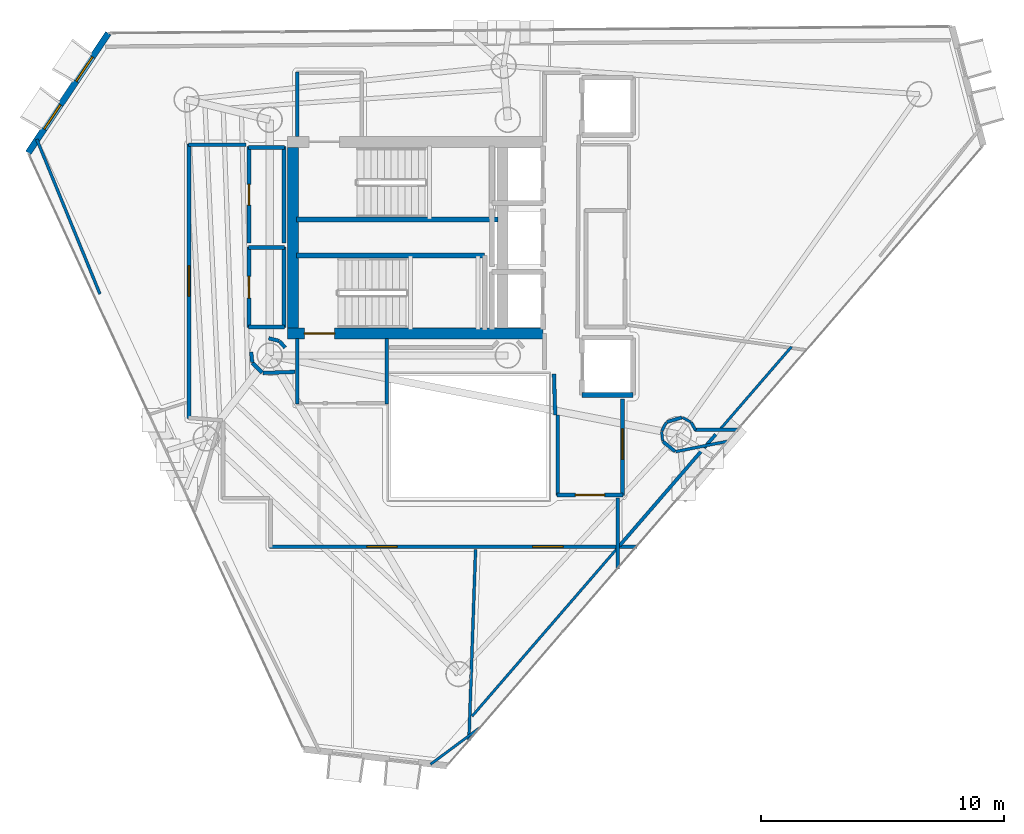
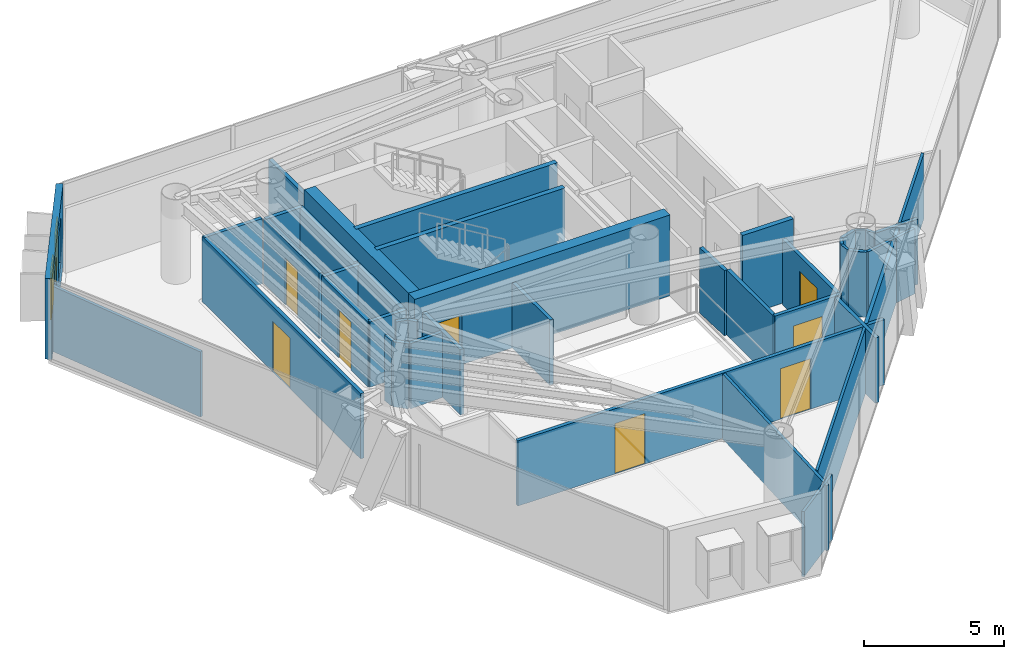
# One storey, part 15 of 21: 43 walls, 8 doors, 2 windows, 10 openings.
"""IFC4 building model written with IfcOpenShell, lengths in metres."""

from ifc_helpers import new_model, si_unit, direction, frame, frame_2d, origin, place, context, subcontext, project, spatial, rectangle, extrude, material, layer, layer_set, type_object, element, fill, save


model = new_model("IFC4")

# Units and contexts
model_context = context("Model", 3, precision=1e-05, world=origin(), true_north=direction((0.0, 1.0)))
body_context = subcontext(model_context, "Body", "Model", "MODEL_VIEW")
ifc_project = project(units=[si_unit("LENGTHUNIT", "METRE"), si_unit("AREAUNIT", "SQUARE_METRE"), si_unit("VOLUMEUNIT", "CUBIC_METRE"), si_unit("PLANEANGLEUNIT", "RADIAN"), si_unit("MASSUNIT", "GRAM", prefix="KILO")], contexts=[model_context])

# Site, building, storey
site_placement = place(None, origin())
site = spatial("IfcSite", under=ifc_project, at=site_placement, CompositionType="ELEMENT")
building_placement = place(site_placement, origin())
building = spatial("IfcBuilding", under=site, at=building_placement, Name="Qianvela Tower", CompositionType="ELEMENT")
storey_placement = place(building_placement, frame((0.0, 0.0, 253.800048828125)))
storey = spatial("IfcBuildingStorey", under=building, at=storey_placement, Name="L65", CompositionType="ELEMENT", Elevation=253.800048828125)

# Wall, openings, windows
ifc_material_1 = material(Name="Terracotta Cladding on Concrete C40", Category="masonry")
ifc_layer_1 = layer(ifc_material_1, 0.260009765625)
ifc_layer_set_1 = layer_set([ifc_layer_1], Name="Terracotta Cladding on Concrete C40")
wall_type_1 = type_object("IfcWallType", Name="TERRACOTTA-WALL-260", PredefinedType="SOLIDWALL", material=ifc_layer_set_1)
wall_1_placement = place(storey_placement, frame((21.9609375, 37.113037109375, 0.0), z_axis=(0.0, 0.0, 1.0), x_axis=(-0.556477886919, -0.830862420242, 0.0)))
wall_1 = element("IfcWall", 1, at=wall_1_placement, inside=storey, type_object=wall_type_1, Name="L65 Terracotta Chamfer Facet Wall 3", PredefinedType="SOLIDWALL", context=body_context, shape_type="SweptSolid", body=[
    extrude(rectangle(XDim=5.92236328125, YDim=0.260009765625, at=frame_2d((2.961181640625, 0.0))), origin(), (0.0, 0.0, 1.0), 3.52001953125),
])
opening_1_placement = place(wall_1_placement, frame((1.1767578125, 0.0, 0.89990234375)))
opening_1 = element("IfcOpeningElement", 2, at=opening_1_placement, cuts=wall_1, Name="Opening W-03", PredefinedType="OPENING", context=body_context, shape_type="SweptSolid", body=[
    extrude(rectangle(XDim=1.199951171875, YDim=2.0, at=frame_2d((0.60009765625, 1.0))), frame((0.0, 0.139892578125, 0.0), z_axis=(0.0, -1.0, 0.0), x_axis=(1.0, 0.0, 0.0)), (0.0, 0.0, 1.0), 0.280029296875),
])
opening_2_placement = place(wall_1_placement, frame((3.545654296875, 0.0, 0.89990234375)))
opening_2 = element("IfcOpeningElement", 3, at=opening_2_placement, cuts=wall_1, Name="Opening W-03", PredefinedType="OPENING", context=body_context, shape_type="SweptSolid", body=[
    extrude(rectangle(XDim=1.199951171875, YDim=2.0, at=frame_2d((0.60009765625, 1.0))), frame((0.0, 0.139892578125, 0.0), z_axis=(0.0, -1.0, 0.0), x_axis=(1.0, 0.0, 0.0)), (0.0, 0.0, 1.0), 0.280029296875),
])
ifc_material_2 = material(Name="Thermally Broken Aluminium and Low-E Glass", Category="aluminium")
window_type = type_object("IfcWindowType", Name="WIN-TC-1200x2000", PartitioningType="SINGLE_PANEL", PredefinedType="WINDOW", material=ifc_material_2)
window_1_placement = place(opening_1_placement, origin())
window_1 = element("IfcWindow", 4, at=window_1_placement, inside=storey, type_object=window_type, Name="L65 Chamfer Facet Window 3.1", OverallHeight=2.0, OverallWidth=1.199951171875, PartitioningType="SINGLE_PANEL", PredefinedType="WINDOW", context=body_context, shape_type="SweptSolid", body=[
    extrude(rectangle(XDim=1.199951171875, YDim=2.0, at=frame_2d((0.60009765625, 1.0))), frame((0.0, 0.030029296875, 0.0), z_axis=(0.0, -1.0, 0.0), x_axis=(1.0, 0.0, 0.0)), (0.0, 0.0, 1.0), 0.06005859375),
])
fill(opening_1, window_1)
window_2_placement = place(opening_2_placement, origin())
window_2 = element("IfcWindow", 5, at=window_2_placement, inside=storey, type_object=window_type, Name="L65 Chamfer Facet Window 3.2", OverallHeight=2.0, OverallWidth=1.199951171875, PartitioningType="SINGLE_PANEL", PredefinedType="WINDOW", context=body_context, shape_type="SweptSolid", body=[
    extrude(rectangle(XDim=1.199951171875, YDim=2.0, at=frame_2d((0.60009765625, 1.0))), frame((0.0, 0.030029296875, 0.0), z_axis=(0.0, -1.0, 0.0), x_axis=(1.0, 0.0, 0.0)), (0.0, 0.0, 1.0), 0.06005859375),
])
fill(opening_2, window_2)

# Wall, opening, door
ifc_material_3 = material(Name="Concrete C50", Category="concrete")
ifc_layer_2 = layer(ifc_material_3, 0.449951171875)
ifc_layer_set_2 = layer_set([ifc_layer_2], Name="Concrete C50")
wall_type_2 = type_object("IfcWallType", Name="WT-CORE-450", PredefinedType="SHEAR", material=ifc_layer_set_2)
wall_2_placement = place(storey_placement, frame((29.330078125, 24.7548828125, 0.0), z_axis=(0.0, 0.0, 1.0), x_axis=(1.0, 0.0, 0.0)))
wall_2 = element("IfcWall", 6, at=wall_2_placement, inside=storey, type_object=wall_type_2, Name="L65 South Core Shear Wall", PredefinedType="SHEAR", context=body_context, shape_type="SweptSolid", body=[
    extrude(rectangle(XDim=10.52001953125, YDim=0.449951171875, at=frame_2d((5.260009765625, 0.0))), origin(), (0.0, 0.0, 1.0), 3.52001953125),
])
opening_3_placement = place(wall_2_placement, frame((0.695068359375, 0.0, 0.0)))
opening_3 = element("IfcOpeningElement", 7, at=opening_3_placement, cuts=wall_2, Name="Opening D-ST1", PredefinedType="OPENING", context=body_context, shape_type="SweptSolid", body=[
    extrude(rectangle(XDim=1.25, YDim=2.14990234375, at=frame_2d((0.625, 1.074951171875))), frame((0.0, 0.23486328125, 0.0), z_axis=(0.0, -1.0, 0.0), x_axis=(1.0, 0.0, 0.0)), (0.0, 0.0, 1.0), 0.469970703125),
])
ifc_material_4 = material(Name="Galvanised Fire Steel Q355B", Category="steel")
door_type_1 = type_object("IfcDoorType", Name="DT-STAIR-FD90", OperationType="NOTDEFINED", PredefinedType="DOOR", material=ifc_material_4)
door_1_placement = place(opening_3_placement, origin())
door_1 = element("IfcDoor", 8, at=door_1_placement, inside=storey, type_object=door_type_1, Name="L65 Stair ST-2 Exit Door", OperationType="SINGLE_SWING_LEFT", OverallHeight=2.14990234375, OverallWidth=1.25, PredefinedType="DOOR", context=body_context, shape_type="SweptSolid", body=[
    extrude(rectangle(XDim=1.25, YDim=2.14990234375, at=frame_2d((0.625, 1.074951171875))), frame((0.0, 0.02490234375, 0.0), z_axis=(0.0, -1.0, 0.0), x_axis=(1.0, 0.0, 0.0)), (0.0, 0.0, 1.0), 0.050048828125),
])
fill(opening_3, door_1)

# Walls
wall_3_placement = place(storey_placement, frame((29.554931640625, 24.97998046875, 0.0), z_axis=(0.0, 0.0, 1.0), x_axis=(0.0, 1.0, 0.0)))
element("IfcWall", 9, at=wall_3_placement, inside=storey, type_object=wall_type_2, Name="L65 West Core Shear Wall", PredefinedType="SHEAR", context=body_context, shape_type="SweptSolid", body=[
    extrude(rectangle(XDim=7.43994140625, YDim=0.449951171875, at=frame_2d((3.719970703125, 0.0))), origin(), (0.0, 0.0, 1.0), 3.52001953125),
])
ifc_material_5 = material(Name="Fire-Rated Acoustic Gypsum Board")
ifc_layer_3 = layer(ifc_material_5, 0.14990234375)
ifc_layer_set_3 = layer_set([ifc_layer_3], Name="Fire-Rated Acoustic Gypsum Board")
wall_type_3 = type_object("IfcWallType", Name="WT-CORR-150", PredefinedType="PARTITIONING", material=ifc_layer_set_3)
wall_4_placement = place(storey_placement, frame((29.73095703125, 32.85791015625, 0.0), z_axis=(0.0, 0.0, 1.0), x_axis=(0.0, 1.0, 0.0)))
element("IfcWall", 10, at=wall_4_placement, inside=storey, type_object=wall_type_3, Name="L65 Partition 2", PredefinedType="PARTITIONING", context=body_context, shape_type="SweptSolid", body=[
    extrude(rectangle(XDim=2.662109375, YDim=0.14990234375, at=frame_2d((1.3310546875, 0.0))), origin(), (0.0, 0.0, 1.0), 2.83984375),
])
for number, where, z_axis, x_axis, name in (
    (11, (29.73095703125, 21.85009765625, 0.0), (0.0, 0.0, 1.0), (0.0, 1.0, 0.0), "L65 Partition 6"),
    (12, (33.4189453125, 24.5419921875, 0.0), (0.0, 0.0, 1.0), (0.0, -1.0, 0.0), "L65 Partition 8"),
):
    element("IfcWall", number, at=place(storey_placement, frame(where, z_axis=z_axis, x_axis=x_axis)), inside=storey, type_object=wall_type_3, Name=name, PredefinedType="PARTITIONING", context=body_context, shape_type="SweptSolid", body=[
        extrude(rectangle(XDim=2.69189453125, YDim=0.14990234375, at=frame_2d((1.345947265625, 0.0))), origin(), (0.0, 0.0, 1.0), 2.83984375),
    ])
wall_5_placement = place(storey_placement, frame((40.35107421875, 21.40087890625, 0.0), z_axis=(0.0, 0.0, 1.0), x_axis=(-0.031058045979, 0.999517582527, 0.0)))
element("IfcWall", 13, at=wall_5_placement, inside=storey, type_object=wall_type_3, Name="L65 Partition 9", PredefinedType="PARTITIONING", context=body_context, shape_type="SweptSolid", body=[
    extrude(rectangle(XDim=1.68212890625, YDim=0.14990234375, at=frame_2d((0.841064453125, 0.0))), origin(), (0.0, 0.0, 1.0), 2.83984375),
])

# Wall, opening, door
wall_6_placement = place(storey_placement, frame((43.118896484375, 22.050048828125, 0.0), z_axis=(0.0, 0.0, 1.0), x_axis=(0.0, -1.0, 0.0)))
wall_6 = element("IfcWall", 14, at=wall_6_placement, inside=storey, type_object=wall_type_3, Name="L65 Partition 16", PredefinedType="PARTITIONING", context=body_context, shape_type="SweptSolid", body=[
    extrude(rectangle(XDim=3.969970703125, YDim=0.14990234375, at=frame_2d((1.98486328125, 0.0))), origin(), (0.0, 0.0, 1.0), 2.83984375),
])
opening_4_placement = place(wall_6_placement, frame((1.219970703125, 0.0, 0.0)))
opening_4 = element("IfcOpeningElement", 15, at=opening_4_placement, cuts=wall_6, Name="Opening D-LG1", PredefinedType="OPENING", context=body_context, shape_type="SweptSolid", body=[
    extrude(rectangle(XDim=1.25, YDim=2.199951171875, at=frame_2d((0.625, 1.10009765625))), frame((0.0, 0.0849609375, 0.0), z_axis=(0.0, -1.0, 0.0), x_axis=(1.0, 0.0, 0.0)), (0.0, 0.0, 1.0), 0.169921875),
])
ifc_material_6 = material(Name="Anodised Aluminium Acoustic Glass Door", Category="aluminium")
door_type_2 = type_object("IfcDoorType", Name="DT-LOUNGE-1250", OperationType="NOTDEFINED", PredefinedType="DOOR", material=ifc_material_6)
door_2_placement = place(opening_4_placement, origin())
door_2 = element("IfcDoor", 16, at=door_2_placement, inside=storey, type_object=door_type_2, Name="L65 Door Stationery Supply Boutique L65-03 to L65 Lift Lobby", OperationType="SINGLE_SWING_RIGHT", OverallHeight=2.199951171875, OverallWidth=1.25, PredefinedType="DOOR", context=body_context, shape_type="SweptSolid", body=[
    extrude(rectangle(XDim=1.25, YDim=2.199951171875, at=frame_2d((0.625, 1.10009765625))), frame((0.0, 0.02490234375, 0.0), z_axis=(0.0, -1.0, 0.0), x_axis=(1.0, 0.0, 0.0)), (0.0, 0.0, 1.0), 0.050048828125),
])
fill(opening_4, door_2)

wall_7_placement = place(storey_placement, frame((43.14990234375, 18.111083984375, 0.0), z_axis=(0.0, 0.0, 1.0), x_axis=(-1.0, 0.0, 0.0)))
wall_7 = element("IfcWall", 17, at=wall_7_placement, inside=storey, type_object=wall_type_3, Name="L65 Partition 17", PredefinedType="PARTITIONING", context=body_context, shape_type="SweptSolid", body=[
    extrude(rectangle(XDim=2.72998046875, YDim=0.14990234375, at=frame_2d((1.364990234375, 0.0))), origin(), (0.0, 0.0, 1.0), 2.83984375),
])
opening_5_placement = place(wall_7_placement, frame((0.764892578125, 0.0, 0.0)))
opening_5 = element("IfcOpeningElement", 18, at=opening_5_placement, cuts=wall_7, Name="Opening D-LB1", PredefinedType="OPENING", context=body_context, shape_type="SweptSolid", body=[
    extrude(rectangle(XDim=1.199951171875, YDim=2.14990234375, at=frame_2d((0.60009765625, 1.074951171875))), frame((0.0, 0.0849609375, 0.0), z_axis=(0.0, -1.0, 0.0), x_axis=(1.0, 0.0, 0.0)), (0.0, 0.0, 1.0), 0.169921875),
])
ifc_material_7 = material(Name="Glazed Fire-Rated Steel Frame", Category="steel")
door_type_3 = type_object("IfcDoorType", Name="DT-LOBBY-FD90", OperationType="NOTDEFINED", PredefinedType="DOOR", material=ifc_material_7)
door_3_placement = place(opening_5_placement, origin())
door_3 = element("IfcDoor", 19, at=door_3_placement, inside=storey, type_object=door_type_3, Name="L65 Door L65 Lift Lobby to L65 Floor Corridor", OperationType="SINGLE_SWING_RIGHT", OverallHeight=2.14990234375, OverallWidth=1.199951171875, PredefinedType="DOOR", context=body_context, shape_type="SweptSolid", body=[
    extrude(rectangle(XDim=1.199951171875, YDim=2.14990234375, at=frame_2d((0.60009765625, 1.074951171875))), frame((0.0, 0.02490234375, 0.0), z_axis=(0.0, -1.0, 0.0), x_axis=(1.0, 0.0, 0.0)), (0.0, 0.0, 1.0), 0.050048828125),
])
fill(opening_5, door_3)

# Walls
wall_8_placement = place(storey_placement, frame((40.450927734375, 18.080078125, 0.0), z_axis=(0.0, 0.0, 1.0), x_axis=(0.0, 1.0, 0.0)))
element("IfcWall", 20, at=wall_8_placement, inside=storey, type_object=wall_type_3, Name="L65 Partition 18 seg 1", PredefinedType="PARTITIONING", context=body_context, shape_type="SweptSolid", body=[
    extrude(rectangle(XDim=3.31982421875, YDim=0.14990234375, at=frame_2d((1.659912109375, 0.0))), origin(), (0.0, 0.0, 1.0), 2.83984375),
])
wall_9_placement = place(storey_placement, frame((29.236083984375, 24.170166015625, 0.0), z_axis=(0.0, 0.0, 1.0), x_axis=(-0.652260263346, 0.757995084984, 0.0)))
element("IfcWall", 21, at=wall_9_placement, inside=storey, type_object=wall_type_3, Name="L65 Partition 35", PredefinedType="PARTITIONING", context=body_context, shape_type="SweptSolid", body=[
    extrude(rectangle(XDim=0.35546875, YDim=0.14990234375, at=frame_2d((0.177734375, 0.0))), origin(), (0.0, 0.0, 1.0), 2.83984375),
])
wall_10_placement = place(storey_placement, frame((28.98828125, 24.44970703125, 0.0), z_axis=(0.0, 0.0, 1.0), x_axis=(-0.968704505916, 0.248216800836, 0.0)))
element("IfcWall", 22, at=wall_10_placement, inside=storey, type_object=wall_type_3, Name="L65 Partition 36", PredefinedType="PARTITIONING", context=body_context, shape_type="SweptSolid", body=[
    extrude(rectangle(XDim=0.444580078125, YDim=0.14990234375, at=frame_2d((0.22216796875, 0.0))), origin(), (0.0, 0.0, 1.0), 2.83984375),
])
wall_11_placement = place(storey_placement, frame((27.83837890625, 23.9921875, 0.0), z_axis=(0.0, 0.0, 1.0), x_axis=(0.098273407977, -0.995159453196, 0.0)))
element("IfcWall", 23, at=wall_11_placement, inside=storey, type_object=wall_type_3, Name="L65 Partition 50", PredefinedType="PARTITIONING", context=body_context, shape_type="SweptSolid", body=[
    extrude(rectangle(XDim=0.432373046875, YDim=0.14990234375, at=frame_2d((0.21630859375, 0.0))), origin(), (0.0, 0.0, 1.0), 2.83984375),
])
wall_12_placement = place(storey_placement, frame((27.889892578125, 23.54296875, 0.0), z_axis=(0.0, 0.0, 1.0), x_axis=(0.707106781187, -0.707106781187, 0.0)))
element("IfcWall", 24, at=wall_12_placement, inside=storey, type_object=wall_type_3, Name="L65 Partition 51", PredefinedType="PARTITIONING", context=body_context, shape_type="SweptSolid", body=[
    extrude(rectangle(XDim=0.570068359375, YDim=0.14990234375, at=frame_2d((0.28515625, 0.0))), origin(), (0.0, 0.0, 1.0), 2.83984375),
])
wall_13_placement = place(storey_placement, frame((28.31591796875, 23.130615234375, 0.0), z_axis=(0.0, 0.0, 1.0), x_axis=(0.999405342193, 0.034481328227, 0.0)))
element("IfcWall", 25, at=wall_13_placement, inside=storey, type_object=wall_type_3, Name="L65 Partition 52", PredefinedType="PARTITIONING", context=body_context, shape_type="SweptSolid", body=[
    extrude(rectangle(XDim=1.323974609375, YDim=0.14990234375, at=frame_2d((0.662109375, 0.0))), origin(), (0.0, 0.0, 1.0), 2.83984375),
])
wall_14_placement = place(storey_placement, frame((42.9189453125, 17.97998046875, 0.0), z_axis=(0.0, 0.0, 1.0), x_axis=(0.0, -1.0, 0.0)))
element("IfcWall", 26, at=wall_14_placement, inside=storey, type_object=wall_type_3, Name="L65 Partition 56", PredefinedType="PARTITIONING", context=body_context, shape_type="SweptSolid", body=[
    extrude(rectangle(XDim=2.90869140625, YDim=0.14990234375, at=frame_2d((1.454345703125, 0.0))), origin(), (0.0, 0.0, 1.0), 2.83984375),
])

# Wall, openings, doors
wall_15_placement = place(storey_placement, frame((43.7080078125, 15.98095703125, 0.0), z_axis=(0.0, 0.0, 1.0), x_axis=(-1.0, 0.0, 0.0)))
wall_15 = element("IfcWall", 27, at=wall_15_placement, inside=storey, type_object=wall_type_3, Name="L65 Partition 57", PredefinedType="PARTITIONING", context=body_context, shape_type="SweptSolid", body=[
    extrude(rectangle(XDim=15.10791015625, YDim=0.14990234375, at=frame_2d((7.553955078125, 0.0))), origin(), (0.0, 0.0, 1.0), 2.83984375),
])
opening_6_placement = place(wall_15_placement, frame((9.8603515625, 0.0, 0.0)))
opening_6 = element("IfcOpeningElement", 28, at=opening_6_placement, cuts=wall_15, Name="Opening D-LG1", PredefinedType="OPENING", context=body_context, shape_type="SweptSolid", body=[
    extrude(rectangle(XDim=1.25, YDim=2.199951171875, at=frame_2d((0.625, 1.10009765625))), frame((0.0, 0.0849609375, 0.0), z_axis=(0.0, -1.0, 0.0), x_axis=(1.0, 0.0, 0.0)), (0.0, 0.0, 1.0), 0.169921875),
])
opening_7_placement = place(wall_15_placement, frame((3.03662109375, 0.0, 0.0)))
opening_7 = element("IfcOpeningElement", 29, at=opening_7_placement, cuts=wall_15, Name="Opening D-LG1", PredefinedType="OPENING", context=body_context, shape_type="SweptSolid", body=[
    extrude(rectangle(XDim=1.25, YDim=2.199951171875, at=frame_2d((0.625, 1.10009765625))), frame((0.0, 0.0849609375, 0.0), z_axis=(0.0, -1.0, 0.0), x_axis=(1.0, 0.0, 0.0)), (0.0, 0.0, 1.0), 0.169921875),
])
door_4_placement = place(opening_6_placement, origin())
door_4 = element("IfcDoor", 30, at=door_4_placement, inside=storey, type_object=door_type_2, Name="L65 Door Campus Convenience Shop L65-01 to L65 Floor Corridor", OperationType="SINGLE_SWING_RIGHT", OverallHeight=2.199951171875, OverallWidth=1.25, PredefinedType="DOOR", context=body_context, shape_type="SweptSolid", body=[
    extrude(rectangle(XDim=1.25, YDim=2.199951171875, at=frame_2d((0.625, 1.10009765625))), frame((0.0, 0.02490234375, 0.0), z_axis=(0.0, -1.0, 0.0), x_axis=(1.0, 0.0, 0.0)), (0.0, 0.0, 1.0), 0.050048828125),
])
fill(opening_6, door_4)
door_5_placement = place(opening_7_placement, origin())
door_5 = element("IfcDoor", 31, at=door_5_placement, inside=storey, type_object=door_type_2, Name="L65 Door Student Bookshop Market L65-02 to L65 Floor Corridor", OperationType="SINGLE_SWING_LEFT", OverallHeight=2.199951171875, OverallWidth=1.25, PredefinedType="DOOR", context=body_context, shape_type="SweptSolid", body=[
    extrude(rectangle(XDim=1.25, YDim=2.199951171875, at=frame_2d((0.625, 1.10009765625))), frame((0.0, 0.02490234375, 0.0), z_axis=(0.0, -1.0, 0.0), x_axis=(1.0, 0.0, 0.0)), (0.0, 0.0, 1.0), 0.050048828125),
])
fill(opening_7, door_5)

# Wall, opening, door
wall_16_placement = place(storey_placement, frame((25.281005859375, 21.253173828125, 0.0), z_axis=(0.0, 0.0, 1.0), x_axis=(0.0, 1.0, 0.0)))
wall_16 = element("IfcWall", 32, at=wall_16_placement, inside=storey, type_object=wall_type_3, Name="L65 Partition 62", PredefinedType="PARTITIONING", context=body_context, shape_type="SweptSolid", body=[
    extrude(rectangle(XDim=11.296875, YDim=0.14990234375, at=frame_2d((5.6484375, 0.0))), origin(), (0.0, 0.0, 1.0), 2.83984375),
])
opening_8_placement = place(wall_16_placement, frame((5.03955078125, 0.0, 0.0)))
opening_8 = element("IfcOpeningElement", 33, at=opening_8_placement, cuts=wall_16, Name="Opening D-LG1", PredefinedType="OPENING", context=body_context, shape_type="SweptSolid", body=[
    extrude(rectangle(XDim=1.25, YDim=2.199951171875, at=frame_2d((0.625, 1.10009765625))), frame((0.0, 0.0849609375, 0.0), z_axis=(0.0, -1.0, 0.0), x_axis=(1.0, 0.0, 0.0)), (0.0, 0.0, 1.0), 0.169921875),
])
door_6_placement = place(opening_8_placement, origin())
door_6 = element("IfcDoor", 34, at=door_6_placement, inside=storey, type_object=door_type_2, Name="L65 Door Print Copy Kiosk L65-04 to L65 Floor Corridor", OperationType="SINGLE_SWING_LEFT", OverallHeight=2.199951171875, OverallWidth=1.25, PredefinedType="DOOR", context=body_context, shape_type="SweptSolid", body=[
    extrude(rectangle(XDim=1.25, YDim=2.199951171875, at=frame_2d((0.625, 1.10009765625))), frame((0.0, 0.02490234375, 0.0), z_axis=(0.0, -1.0, 0.0), x_axis=(1.0, 0.0, 0.0)), (0.0, 0.0, 1.0), 0.050048828125),
])
fill(opening_8, door_6)

# Walls
wall_17_placement = place(storey_placement, frame((25.25, 32.51904296875, 0.0), z_axis=(0.0, 0.0, 1.0), x_axis=(1.0, 0.0, 0.0)))
element("IfcWall", 35, at=wall_17_placement, inside=storey, type_object=wall_type_3, Name="L65 Partition 63", PredefinedType="PARTITIONING", context=body_context, shape_type="SweptSolid", body=[
    extrude(rectangle(XDim=2.3701171875, YDim=0.14990234375, at=frame_2d((1.18505859375, 0.0))), origin(), (0.0, 0.0, 1.0), 2.83984375),
])
ifc_material_8 = material(Name="Lightweight Gypsum Room Partition")
ifc_layer_4 = layer(ifc_material_8, 0.10498046875)
ifc_layer_set_4 = layer_set([ifc_layer_4], Name="Lightweight Gypsum Room Partition")
wall_type_4 = type_object("IfcWallType", Name="WT-PART-105", PredefinedType="PARTITIONING", material=ifc_layer_set_4)
wall_18_placement = place(storey_placement, frame((37.25341796875, 8.538818359375, 0.0), z_axis=(0.0, 0.0, 1.0), x_axis=(-0.802670163105, -0.59642317968, 0.0)))
element("IfcWall", 36, at=wall_18_placement, inside=storey, type_object=wall_type_4, Name="L65 Partition 71", PredefinedType="PARTITIONING", context=body_context, shape_type="SweptSolid", body=[
    extrude(rectangle(XDim=2.537841796875, YDim=0.10498046875, at=frame_2d((1.26904296875, 0.0))), origin(), (0.0, 0.0, 1.0), 2.83984375),
])
wall_19_placement = place(storey_placement, frame((42.88134765625, 15.890380859375, 0.0), z_axis=(0.0, 0.0, 1.0), x_axis=(-0.65403919505, -0.7564606608, 0.0)))
element("IfcWall", 37, at=wall_19_placement, inside=storey, type_object=wall_type_4, Name="L65 Partition 77", PredefinedType="PARTITIONING", context=body_context, shape_type="SweptSolid", body=[
    extrude(rectangle(XDim=9.108154296875, YDim=0.10498046875, at=frame_2d((4.55419921875, 0.0))), origin(), (0.0, 0.0, 1.0), 2.83984375),
])
wall_20_placement = place(storey_placement, frame((50.072509765625, 24.20751953125, 0.0), z_axis=(0.0, 0.0, 1.0), x_axis=(-0.65404614334, -0.756454653223, 0.0)))
element("IfcWall", 38, at=wall_20_placement, inside=storey, type_object=wall_type_4, Name="L65 Partition 83", PredefinedType="PARTITIONING", context=body_context, shape_type="SweptSolid", body=[
    extrude(rectangle(XDim=4.531982421875, YDim=0.10498046875, at=frame_2d((2.26611328125, 0.0))), origin(), (0.0, 0.0, 1.0), 2.83984375),
])
for number, where, z_axis, x_axis, name in (
    (39, (45.93505859375, 21.109619140625, 0.0), (0.0, 0.0, 1.0), (-0.881944865518, 0.471352579484, 0.0), "L65 Partition 86"),
    (40, (44.7333984375, 20.728515625, 0.0), (0.0, 0.0, 1.0), (0.097619118958, -0.995223847993, 0.0), "L65 Partition 89"),
):
    element("IfcWall", number, at=place(storey_placement, frame(where, z_axis=z_axis, x_axis=x_axis)), inside=storey, type_object=wall_type_4, Name=name, PredefinedType="PARTITIONING", context=body_context, shape_type="SweptSolid", body=[
        extrude(rectangle(XDim=0.397705078125, YDim=0.10498046875, at=frame_2d((0.19873046875, 0.0))), origin(), (0.0, 0.0, 1.0), 2.83984375),
    ])
ifc_material_9 = material(Name="Insulated Gypsum Stud Partition")
ifc_layer_5 = layer(ifc_material_9, 0.1201171875)
ifc_layer_set_5 = layer_set([ifc_layer_5], Name="Insulated Gypsum Stud Partition")
wall_type_5 = type_object("IfcWallType", Name="WT-PART-120", PredefinedType="PARTITIONING", material=ifc_layer_set_5)
wall_21_placement = place(storey_placement, frame((37.0732421875, 15.87109375, 0.0), z_axis=(0.0, 0.0, 1.0), x_axis=(-0.034903879561, -0.999390673957, 0.0)))
element("IfcWall", 41, at=wall_21_placement, inside=storey, type_object=wall_type_5, Name="L65 Partition 70", PredefinedType="PARTITIONING", context=body_context, shape_type="SweptSolid", body=[
    extrude(rectangle(XDim=7.883056640625, YDim=0.1201171875, at=frame_2d((3.94140625, 0.0))), origin(), (0.0, 0.0, 1.0), 2.83984375),
])
wall_22_placement = place(storey_placement, frame((46.12744140625, 20.771484375, 0.0), z_axis=(0.0, 0.0, 1.0), x_axis=(-0.483302691899, 0.875453315719, 0.0)))
element("IfcWall", 42, at=wall_22_placement, inside=storey, type_object=wall_type_5, Name="L65 Partition 85", PredefinedType="PARTITIONING", context=body_context, shape_type="SweptSolid", body=[
    extrude(rectangle(XDim=0.372314453125, YDim=0.1201171875, at=frame_2d((0.18603515625, 0.0))), origin(), (0.0, 0.0, 1.0), 2.83984375),
])
wall_23_placement = place(storey_placement, frame((44.92431640625, 21.096923828125, 0.0), z_axis=(0.0, 0.0, 1.0), x_axis=(-0.471607834051, -0.881808398044, 0.0)))
element("IfcWall", 43, at=wall_23_placement, inside=storey, type_object=wall_type_5, Name="L65 Partition 88", PredefinedType="PARTITIONING", context=body_context, shape_type="SweptSolid", body=[
    extrude(rectangle(XDim=0.3974609375, YDim=0.1201171875, at=frame_2d((0.19873046875, 0.0))), origin(), (0.0, 0.0, 1.0), 2.83984375),
])
wall_24_placement = place(storey_placement, frame((45.308349609375, 19.895751953125, 0.0), z_axis=(0.0, 0.0, 1.0), x_axis=(0.980807009946, 0.194981048412, 0.0)))
element("IfcWall", 44, at=wall_24_placement, inside=storey, type_object=wall_type_5, Name="L65 Partition 91", PredefinedType="PARTITIONING", context=body_context, shape_type="SweptSolid", body=[
    extrude(rectangle(XDim=2.1923828125, YDim=0.1201171875, at=frame_2d((1.09619140625, 0.0))), origin(), (0.0, 0.0, 1.0), 2.83984375),
])
wall_25_placement = place(storey_placement, frame((21.614501953125, 26.3818359375, 0.0), z_axis=(0.0, 0.0, 1.0), x_axis=(-0.377951044046, 0.92582558201, 0.0)))
element("IfcWall", 45, at=wall_25_placement, inside=storey, type_object=wall_type_5, Name="L65 Partition 97 seg 1", PredefinedType="PARTITIONING", context=body_context, shape_type="SweptSolid", body=[
    extrude(rectangle(XDim=6.875, YDim=0.1201171875, at=frame_2d((3.4375, 0.0))), origin(), (0.0, 0.0, 1.0), 2.83984375),
])

# Wall, opening, door
ifc_material_10 = material(Name="Sanitary Service Chase Partition")
ifc_layer_6 = layer(ifc_material_10, 0.1650390625)
ifc_layer_set_6 = layer_set([ifc_layer_6], Name="Sanitary Service Chase Partition")
wall_type_6 = type_object("IfcWallType", Name="WT-PLUMB-165", PredefinedType="PLUMBINGWALL", material=ifc_layer_set_6)
wall_26_placement = place(storey_placement, frame((27.7509765625, 25.0, 0.0), z_axis=(0.0, 0.0, 1.0), x_axis=(0.0, 1.0, 0.0)))
wall_26 = element("IfcWall", 46, at=wall_26_placement, inside=storey, type_object=wall_type_6, Name="L65 Partition 23", PredefinedType="PLUMBINGWALL", context=body_context, shape_type="SweptSolid", body=[
    extrude(rectangle(XDim=3.320068359375, YDim=0.1650390625, at=frame_2d((1.66015625, 0.0))), origin(), (0.0, 0.0, 1.0), 2.83984375),
])
opening_9_placement = place(wall_26_placement, frame((1.2099609375, 0.0, 0.0)))
opening_9 = element("IfcOpeningElement", 47, at=opening_9_placement, cuts=wall_26, Name="Opening D-KT1", PredefinedType="OPENING", context=body_context, shape_type="SweptSolid", body=[
    extrude(rectangle(XDim=0.89990234375, YDim=2.10009765625, at=frame_2d((0.449951171875, 1.050048828125))), frame((0.0, 0.092529296875, 0.0), z_axis=(0.0, -1.0, 0.0), x_axis=(1.0, 0.0, 0.0)), (0.0, 0.0, 1.0), 0.18505859375),
])
ifc_material_11 = material(Name="Glazed Timber Kitchen Door", Category="wood")
door_type_4 = type_object("IfcDoorType", Name="DT-KITCH-900", OperationType="NOTDEFINED", PredefinedType="DOOR", material=ifc_material_11)
door_7_placement = place(opening_9_placement, origin())
door_7 = element("IfcDoor", 48, at=door_7_placement, inside=storey, type_object=door_type_4, Name="L65 Door L65 Core Tea Pantry West to L65 Floor Corridor", OperationType="SINGLE_SWING_LEFT", OverallHeight=2.10009765625, OverallWidth=0.89990234375, PredefinedType="DOOR", context=body_context, shape_type="SweptSolid", body=[
    extrude(rectangle(XDim=0.89990234375, YDim=2.10009765625, at=frame_2d((0.449951171875, 1.050048828125))), frame((0.0, 0.02490234375, 0.0), z_axis=(0.0, -1.0, 0.0), x_axis=(1.0, 0.0, 0.0)), (0.0, 0.0, 1.0), 0.050048828125),
])
fill(opening_9, door_7)

# Walls
wall_27_placement = place(storey_placement, frame((27.719970703125, 28.2890625, 0.0), z_axis=(0.0, 0.0, 1.0), x_axis=(1.0, 0.0, 0.0)))
element("IfcWall", 49, at=wall_27_placement, inside=storey, type_object=wall_type_6, Name="L65 Partition 24", PredefinedType="PLUMBINGWALL", context=body_context, shape_type="SweptSolid", body=[
    extrude(rectangle(XDim=1.5, YDim=0.1650390625, at=frame_2d((0.75, 0.0))), origin(), (0.0, 0.0, 1.0), 2.83984375),
])
wall_28_placement = place(storey_placement, frame((29.18896484375, 28.320068359375, 0.0), z_axis=(0.0, 0.0, 1.0), x_axis=(0.0, -1.0, 0.0)))
element("IfcWall", 50, at=wall_28_placement, inside=storey, type_object=wall_type_6, Name="L65 Partition 25", PredefinedType="PLUMBINGWALL", context=body_context, shape_type="SweptSolid", body=[
    extrude(rectangle(XDim=3.320068359375, YDim=0.1650390625, at=frame_2d((1.66015625, 0.0))), origin(), (0.0, 0.0, 1.0), 2.83984375),
])
wall_29_placement = place(storey_placement, frame((29.219970703125, 25.031005859375, 0.0), z_axis=(0.0, 0.0, 1.0), x_axis=(-1.0, 0.0, 0.0)))
element("IfcWall", 51, at=wall_29_placement, inside=storey, type_object=wall_type_6, Name="L65 Partition 26", PredefinedType="PLUMBINGWALL", context=body_context, shape_type="SweptSolid", body=[
    extrude(rectangle(XDim=1.5, YDim=0.1650390625, at=frame_2d((0.75, 0.0))), origin(), (0.0, 0.0, 1.0), 2.83984375),
])

# Wall, opening, door
wall_30_placement = place(storey_placement, frame((27.7509765625, 28.47998046875, 0.0), z_axis=(0.0, 0.0, 1.0), x_axis=(0.0, 1.0, 0.0)))
wall_30 = element("IfcWall", 52, at=wall_30_placement, inside=storey, type_object=wall_type_6, Name="L65 Partition 27", PredefinedType="PLUMBINGWALL", context=body_context, shape_type="SweptSolid", body=[
    extrude(rectangle(XDim=3.969970703125, YDim=0.1650390625, at=frame_2d((1.98486328125, 0.0))), origin(), (0.0, 0.0, 1.0), 2.83984375),
])
opening_10_placement = place(wall_30_placement, frame((1.554931640625, 0.0, 0.0)))
opening_10 = element("IfcOpeningElement", 53, at=opening_10_placement, cuts=wall_30, Name="Opening D-WC1", PredefinedType="OPENING", context=body_context, shape_type="SweptSolid", body=[
    extrude(rectangle(XDim=0.860107421875, YDim=2.050048828125, at=frame_2d((0.43017578125, 1.02490234375))), frame((0.0, 0.092529296875, 0.0), z_axis=(0.0, -1.0, 0.0), x_axis=(1.0, 0.0, 0.0)), (0.0, 0.0, 1.0), 0.18505859375),
])
ifc_material_12 = material(Name="Moisture-Sealed Acoustic Timber Door", Category="wood")
door_type_5 = type_object("IfcDoorType", Name="DT-WC-860", OperationType="NOTDEFINED", PredefinedType="DOOR", material=ifc_material_12)
door_8_placement = place(opening_10_placement, origin())
door_8 = element("IfcDoor", 54, at=door_8_placement, inside=storey, type_object=door_type_5, Name="L65 Door L65 Accessible WC to L65 Floor Corridor", OperationType="SINGLE_SWING_RIGHT", OverallHeight=2.050048828125, OverallWidth=0.860107421875, PredefinedType="DOOR", context=body_context, shape_type="SweptSolid", body=[
    extrude(rectangle(XDim=0.860107421875, YDim=2.050048828125, at=frame_2d((0.43017578125, 1.02490234375))), frame((0.0, 0.02490234375, 0.0), z_axis=(0.0, -1.0, 0.0), x_axis=(1.0, 0.0, 0.0)), (0.0, 0.0, 1.0), 0.050048828125),
])
fill(opening_10, door_8)

# Walls
wall_31_placement = place(storey_placement, frame((27.719970703125, 32.4189453125, 0.0), z_axis=(0.0, 0.0, 1.0), x_axis=(1.0, 0.0, 0.0)))
element("IfcWall", 55, at=wall_31_placement, inside=storey, type_object=wall_type_6, Name="L65 Partition 28", PredefinedType="PLUMBINGWALL", context=body_context, shape_type="SweptSolid", body=[
    extrude(rectangle(XDim=1.5, YDim=0.1650390625, at=frame_2d((0.75, 0.0))), origin(), (0.0, 0.0, 1.0), 2.83984375),
])
wall_32_placement = place(storey_placement, frame((29.18896484375, 32.449951171875, 0.0), z_axis=(0.0, 0.0, 1.0), x_axis=(0.0, -1.0, 0.0)))
element("IfcWall", 56, at=wall_32_placement, inside=storey, type_object=wall_type_6, Name="L65 Partition 29", PredefinedType="PLUMBINGWALL", context=body_context, shape_type="SweptSolid", body=[
    extrude(rectangle(XDim=3.969970703125, YDim=0.1650390625, at=frame_2d((1.98486328125, 0.0))), origin(), (0.0, 0.0, 1.0), 2.83984375),
])
ifc_material_13 = material(Name="Acoustic Double Gypsum Stud Partition")
ifc_layer_7 = layer(ifc_material_13, 0.139892578125)
ifc_layer_set_7 = layer_set([ifc_layer_7], Name="Acoustic Double Gypsum Stud Partition")
wall_type_7 = type_object("IfcWallType", Name="WT-ROOM-140", PredefinedType="PARTITIONING", material=ifc_layer_set_7)
wall_33_placement = place(storey_placement, frame((47.86767578125, 20.7919921875, 0.0), z_axis=(0.0, 0.0, 1.0), x_axis=(-0.999996909449, -0.002486180162, 0.0)))
element("IfcWall", 57, at=wall_33_placement, inside=storey, type_object=wall_type_7, Name="L65 Partition 84", PredefinedType="PARTITIONING", context=body_context, shape_type="SweptSolid", body=[
    extrude(rectangle(XDim=1.767578125, YDim=0.139892578125, at=frame_2d((0.8837890625, 0.0))), origin(), (0.0, 0.0, 1.0), 2.83984375),
])
wall_34_placement = place(storey_placement, frame((45.560546875, 21.299560546875, 0.0), z_axis=(0.0, 0.0, 1.0), x_axis=(-0.956916224704, -0.290364148784, 0.0)))
element("IfcWall", 58, at=wall_34_placement, inside=storey, type_object=wall_type_7, Name="L65 Partition 87", PredefinedType="PARTITIONING", context=body_context, shape_type="SweptSolid", body=[
    extrude(rectangle(XDim=0.645751953125, YDim=0.139892578125, at=frame_2d((0.32275390625, 0.0))), origin(), (0.0, 0.0, 1.0), 2.83984375),
])
wall_35_placement = place(storey_placement, frame((44.783447265625, 20.31201171875, 0.0), z_axis=(0.0, 0.0, 1.0), x_axis=(0.772878500367, -0.634554035265, 0.0)))
element("IfcWall", 59, at=wall_35_placement, inside=storey, type_object=wall_type_7, Name="L65 Partition 90", PredefinedType="PARTITIONING", context=body_context, shape_type="SweptSolid", body=[
    extrude(rectangle(XDim=0.64599609375, YDim=0.139892578125, at=frame_2d((0.322998046875, 0.0))), origin(), (0.0, 0.0, 1.0), 2.83984375),
])
wall_36_placement = place(storey_placement, frame((46.952392578125, 20.598876953125, 0.0), z_axis=(0.0, 0.0, 1.0), x_axis=(-0.654038047912, -0.756461652619, 0.0)))
element("IfcWall", 60, at=wall_36_placement, inside=storey, type_object=wall_type_7, Name="L65 Partition 93", PredefinedType="PARTITIONING", context=body_context, shape_type="SweptSolid", body=[
    extrude(rectangle(XDim=6.032958984375, YDim=0.139892578125, at=frame_2d((3.0166015625, 0.0))), origin(), (0.0, 0.0, 1.0), 2.83984375),
])
ifc_material_14 = material(Name="Concrete C50", Category="concrete")
ifc_layer_8 = layer(ifc_material_14, 0.199951171875)
ifc_layer_set_8 = layer_set([ifc_layer_8], Name="Concrete C50")
wall_type_8 = type_object("IfcWallType", Name="WT-SHAFT-200", PredefinedType="SOLIDWALL", material=ifc_layer_set_8)
wall_37_placement = place(storey_placement, frame((29.699951171875, 29.449951171875, 0.0), z_axis=(0.0, 0.0, 1.0), x_axis=(1.0, 0.0, 0.0)))
element("IfcWall", 61, at=wall_37_placement, inside=storey, type_object=wall_type_8, Name="L65 Stair ST-1 South Wall", PredefinedType="SOLIDWALL", context=body_context, shape_type="SweptSolid", body=[
    extrude(rectangle(XDim=8.300048828125, YDim=0.199951171875, at=frame_2d((4.14990234375, 0.0))), origin(), (0.0, 0.0, 1.0), 3.52001953125),
])
wall_38_placement = place(storey_placement, frame((29.699951171875, 27.9599609375, 0.0), z_axis=(0.0, 0.0, 1.0), x_axis=(1.0, 0.0, 0.0)))
element("IfcWall", 62, at=wall_38_placement, inside=storey, type_object=wall_type_8, Name="L65 Stair ST-2 North Wall", PredefinedType="SOLIDWALL", context=body_context, shape_type="SweptSolid", body=[
    extrude(rectangle(XDim=7.75, YDim=0.199951171875, at=frame_2d((3.875, 0.0))), origin(), (0.0, 0.0, 1.0), 3.52001953125),
])
wall_39_placement = place(storey_placement, frame((41.449951171875, 22.219970703125, 0.0), z_axis=(0.0, 0.0, 1.0), x_axis=(1.0, 0.0, 0.0)))
element("IfcWall", 63, at=wall_39_placement, inside=storey, type_object=wall_type_8, Name="L65 Lift PL-H2 S Shaft Wall", PredefinedType="SOLIDWALL", context=body_context, shape_type="SweptSolid", body=[
    extrude(rectangle(XDim=2.10009765625, YDim=0.199951171875, at=frame_2d((1.050048828125, 0.0))), origin(), (0.0, 0.0, 1.0), 3.52001953125),
])

save(model, "model.ifc")
